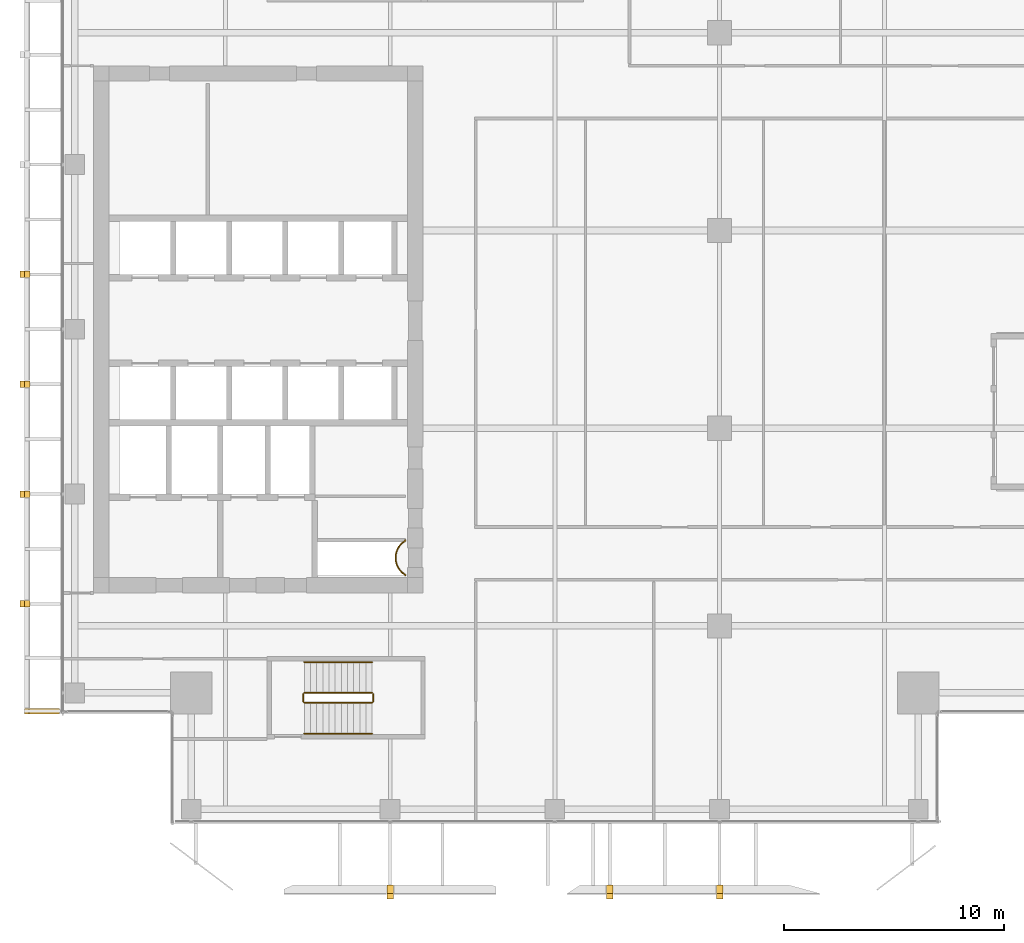
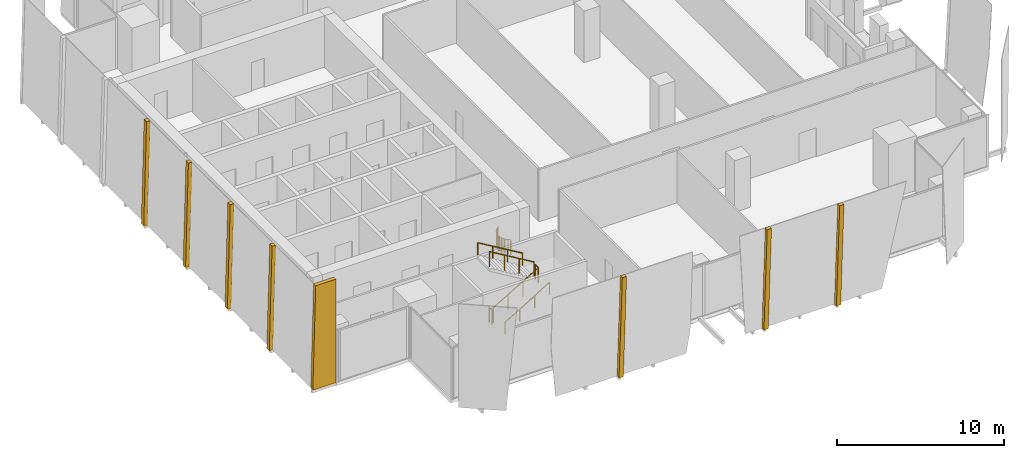
# One storey, part 32 of 35: 8 coverings, 7 railings.
"""IFC4 building model written with IfcOpenShell, lengths in metres."""

from ifc_helpers import new_model, si_unit, direction, frame, origin, origin_2d, place, context, subcontext, project, spatial, polyline, circle, outline, extrude, source, transform, mapped, material, layer, layer_set, type_object, element, save


model = new_model("IFC4")

# Units and contexts
model_context = context("Model", 3, precision=1e-05, world=origin(), true_north=direction((0.0, 1.0)))
body_context = subcontext(model_context, "Body", "Model", "MODEL_VIEW")
ifc_project = project(units=[si_unit("LENGTHUNIT", "METRE"), si_unit("AREAUNIT", "SQUARE_METRE"), si_unit("VOLUMEUNIT", "CUBIC_METRE"), si_unit("PLANEANGLEUNIT", "RADIAN"), si_unit("MASSUNIT", "GRAM", prefix="KILO")], contexts=[model_context])

# Site, building, storey
site_placement = place(None, origin())
site = spatial("IfcSite", under=ifc_project, at=site_placement, CompositionType="ELEMENT")
building_placement = place(site_placement, origin())
building = spatial("IfcBuilding", under=site, at=building_placement, Name="Khomas Fold Tower", CompositionType="ELEMENT")
storey_placement = place(building_placement, frame((0.0, 0.0, 258.199951171875)))
storey = spatial("IfcBuildingStorey", under=building, at=storey_placement, Name="L58", CompositionType="ELEMENT", Elevation=258.199951171875)

# Coverings
ifc_material_1 = material(Name="Natural stone cladding", Category="masonry")
ifc_layer = layer(ifc_material_1, 0.25)
ifc_layer_set = layer_set([ifc_layer], Name="Natural stone cladding")
covering_type = type_object("IfcCoveringType", Name="SK-Karibib marble stone mullion", PredefinedType="CLADDING", material=ifc_layer_set)
for number, where, z_axis, x_axis, name in (
    (1, (19.35009765625, 1.71337890625, 0.0), (0.0, 0.998629046243, 0.052345276765), (0.0, -0.052345276765, 0.998629046243), "OUTER SKIN mullion L58 SM100-3"),
    (2, (29.35009765625, 1.71337890625, 0.0), (0.0, 0.998629046243, 0.052345276765), (0.0, -0.052345276765, 0.998629046243), "OUTER SKIN mullion L58 SM102-6"),
    (3, (34.35009765625, 1.71337890625, 0.0), (0.0, 0.998629046243, 0.052345276765), (0.0, -0.052345276765, 0.998629046243), "OUTER SKIN mullion L58 SM103-8"),
):
    element("IfcCovering", number, at=place(storey_placement, frame(where, z_axis=z_axis, x_axis=x_axis)), inside=storey, type_object=covering_type, Name=name, PredefinedType="CLADDING", context=body_context, shape_type="SweptSolid", body=[
        extrude(outline(polyline([(0.0, 0.0), (7.560413805835891, 0.0), (7.560413805835891, 0.2998046875), (0.0, 0.2998046875), (0.0, 0.0)])), origin(), (0.0, 0.0, -1.0), 0.25),
    ])
for number, where, z_axis, x_axis, name in (
    (4, (2.6533203125, 14.35009765625, 0.006591796875), (-0.99965715546, 0.0, 0.026183421048), (0.0, 1.0, 0.0), "OUTER SKIN mullion L58 W2"),
    (5, (2.6533203125, 19.35009765625, 0.006591796875), (-0.99965715546, 0.0, 0.026183421048), (0.0, 1.0, 0.0), "OUTER SKIN mullion L58 W4"),
    (6, (2.6533203125, 24.35009765625, 0.006591796875), (-0.99965715546, 0.0, 0.026183421048), (0.0, 1.0, 0.0), "OUTER SKIN mullion L58 W6"),
    (7, (2.6533203125, 29.35009765625, 0.006591796875), (-0.99965715546, 0.0, 0.026183421048), (0.0, 1.0, 0.0), "OUTER SKIN mullion L58 W8"),
):
    element("IfcCovering", number, at=place(storey_placement, frame(where, z_axis=z_axis, x_axis=x_axis)), inside=storey, type_object=covering_type, Name=name, PredefinedType="CLADDING", context=body_context, shape_type="SweptSolid", body=[
        extrude(outline(polyline([(0.0, 0.0), (0.2998046875, 0.0), (0.2998046875, -7.552638208898188), (0.0, -7.552638208898188), (0.0, 0.0)])), origin(), (0.0, 0.0, -1.0), 0.25),
    ])
covering_placement = place(storey_placement, frame((4.449951171875, 9.5, 7.550048828125), z_axis=(0.0, -1.0, 0.0), x_axis=(-1.0, 0.0, 0.0)))
element("IfcCovering", 8, at=covering_placement, inside=storey, type_object=covering_type, Name="OUTER SKIN return L58 W1", PredefinedType="CLADDING", context=body_context, shape_type="SweptSolid", body=[
    extrude(outline(polyline([(0.0, 0.0), (1.388916015625, 0.0), (1.586669921875, 7.550048828125), (0.0, 7.550048828125), (0.0, 0.0)])), origin(), (0.0, 0.0, -1.0), 0.25),
])

# Railings
ifc_material_2 = material(Name="Steel balustrade", Category="steel")
railing_type_1 = type_object("IfcRailingType", Name="Stair guard", PredefinedType="GUARDRAIL", material=ifc_material_2)
shared_shape_1 = source(origin(), body_context, "Body", "SweptSolid", [
    extrude(circle(Radius=0.02392578125, at=origin_2d()), frame((0.0, 0.0, 1.076171875), z_axis=(0.0, 1.0, 0.0), x_axis=(-1.0, 0.0, 0.0)), (0.0, 0.0, 1.0), 0.349853515625),
    extrude(circle(Radius=0.02099609375, at=origin_2d()), origin(), (0.0, 0.0, 1.0), 1.052001953125),
    extrude(circle(Radius=0.02099609375, at=origin_2d()), frame((0.0, 0.349853515625, 0.0)), (0.0, 0.0, 1.0), 1.052001953125),
])
for number, where, name in (
    (9, (18.72998046875, 10.050048828125, 2.0), "L58 ST2 stair guard 2"),
    (10, (15.550048828125, 10.050048828125, 0.0), "L58 ST2 stair guard 4"),
):
    element("IfcRailing", number, at=place(storey_placement, frame(where)), inside=storey, type_object=railing_type_1, Name=name, PredefinedType="GUARDRAIL", context=body_context, shape_type="MappedRepresentation", body=[
        mapped(shared_shape_1, transform((0.0, 0.0, 0.0))),
    ])
shared_shape_2 = source(origin(), body_context, "Body", "SweptSolid", [
    extrude(circle(Radius=0.02392578125, at=origin_2d()), frame((0.0, 0.0, 1.076171875), z_axis=(0.859290745958, 0.0, 0.51148745235), x_axis=(0.0, 1.0, 0.0)), (0.0, 0.0, 1.0), 3.584228515625),
    extrude(circle(Radius=0.02099609375, at=origin_2d()), origin(), (0.0, 0.0, 1.0), 1.052001953125),
    extrude(circle(Radius=0.02099609375, at=origin_2d()), frame((1.026611328125, 0.0, 0.611083984375)), (0.0, 0.0, 1.0), 1.052001953125),
    extrude(circle(Radius=0.02099609375, at=origin_2d()), frame((2.05322265625, 0.0, 1.22216796875)), (0.0, 0.0, 1.0), 1.052001953125),
    extrude(circle(Radius=0.02099609375, at=origin_2d()), frame((3.079833984375, 0.0, 1.833251953125)), (0.0, 0.0, 1.0), 1.052001953125),
])
railing_1_placement = place(storey_placement, frame((15.60009765625, 10.0, 0.166748046875)))
element("IfcRailing", 11, at=railing_1_placement, inside=storey, type_object=railing_type_1, Name="L58 ST2 stair guard 1", PredefinedType="GUARDRAIL", context=body_context, shape_type="MappedRepresentation", body=[
    mapped(shared_shape_2, transform((0.0, 0.0, 0.0))),
])
shared_shape_3 = source(origin(), body_context, "Body", "SweptSolid", [
    extrude(circle(Radius=0.02392578125, at=origin_2d()), frame((0.0, 0.0, 1.076171875), z_axis=(-0.859290745958, 0.0, 0.51148745235), x_axis=(0.0, -1.0, 0.0)), (0.0, 0.0, 1.0), 3.584228515625),
    extrude(circle(Radius=0.02099609375, at=origin_2d()), origin(), (0.0, 0.0, 1.0), 1.052001953125),
    extrude(circle(Radius=0.02099609375, at=origin_2d()), frame((-1.026611328125, 0.0, 0.611083984375)), (0.0, 0.0, 1.0), 1.052001953125),
    extrude(circle(Radius=0.02099609375, at=origin_2d()), frame((-2.05322265625, 0.0, 1.22216796875)), (0.0, 0.0, 1.0), 1.052001953125),
    extrude(circle(Radius=0.02099609375, at=origin_2d()), frame((-3.079833984375, 0.0, 1.833251953125)), (0.0, 0.0, 1.0), 1.052001953125),
])
railing_2_placement = place(storey_placement, frame((18.679931640625, 10.449951171875, 2.166748046875)))
element("IfcRailing", 12, at=railing_2_placement, inside=storey, type_object=railing_type_1, Name="L58 ST2 stair guard 3", PredefinedType="GUARDRAIL", context=body_context, shape_type="MappedRepresentation", body=[
    mapped(shared_shape_3, transform((0.0, 0.0, 0.0))),
])
ifc_material_3 = material(Name="Steel handrail", Category="steel")
railing_type_2 = type_object("IfcRailingType", Name="Stair handrail", PredefinedType="HANDRAIL", material=ifc_material_3)
shared_shape_4 = source(origin(), body_context, "Body", "SweptSolid", [
    extrude(circle(Radius=0.02392578125, at=origin_2d()), frame((0.0, 0.0, 0.8759765625), z_axis=(0.859290745958, 0.0, 0.51148745235), x_axis=(0.0, 1.0, 0.0)), (0.0, 0.0, 1.0), 3.584228515625),
    extrude(circle(Radius=0.02099609375, at=origin_2d()), origin(), (0.0, 0.0, 1.0), 0.851806640625),
    extrude(circle(Radius=0.02099609375, at=origin_2d()), frame((1.026611328125, 0.0, 0.611083984375)), (0.0, 0.0, 1.0), 0.851806640625),
    extrude(circle(Radius=0.02099609375, at=origin_2d()), frame((2.05322265625, 0.0, 1.22216796875)), (0.0, 0.0, 1.0), 0.851806640625),
    extrude(circle(Radius=0.02099609375, at=origin_2d()), frame((3.079833984375, 0.0, 1.833251953125)), (0.0, 0.0, 1.0), 0.851806640625),
])
railing_3_placement = place(storey_placement, frame((15.60009765625, 8.60009765625, 0.166748046875)))
element("IfcRailing", 13, at=railing_3_placement, inside=storey, type_object=railing_type_2, Name="L58 ST2 stair handrail 1", PredefinedType="HANDRAIL", context=body_context, shape_type="MappedRepresentation", body=[
    mapped(shared_shape_4, transform((0.0, 0.0, 0.0))),
])
shared_shape_5 = source(origin(), body_context, "Body", "SweptSolid", [
    extrude(circle(Radius=0.02392578125, at=origin_2d()), frame((0.0, 0.0, 0.8759765625), z_axis=(-0.859290745958, 0.0, 0.51148745235), x_axis=(0.0, -1.0, 0.0)), (0.0, 0.0, 1.0), 3.584228515625),
    extrude(circle(Radius=0.02099609375, at=origin_2d()), origin(), (0.0, 0.0, 1.0), 0.851806640625),
    extrude(circle(Radius=0.02099609375, at=origin_2d()), frame((-1.026611328125, 0.0, 0.611083984375)), (0.0, 0.0, 1.0), 0.851806640625),
    extrude(circle(Radius=0.02099609375, at=origin_2d()), frame((-2.05322265625, 0.0, 1.22216796875)), (0.0, 0.0, 1.0), 0.851806640625),
    extrude(circle(Radius=0.02099609375, at=origin_2d()), frame((-3.079833984375, 0.0, 1.833251953125)), (0.0, 0.0, 1.0), 0.851806640625),
])
railing_4_placement = place(storey_placement, frame((18.679931640625, 11.85009765625, 2.166748046875)))
element("IfcRailing", 14, at=railing_4_placement, inside=storey, type_object=railing_type_2, Name="L58 ST2 stair handrail 2", PredefinedType="HANDRAIL", context=body_context, shape_type="MappedRepresentation", body=[
    mapped(shared_shape_5, transform((0.0, 0.0, 0.0))),
])
ifc_material_4 = material(Name="Steel balustrade", Category="steel")
railing_type_3 = type_object("IfcRailingType", Name="Shaft guard", PredefinedType="GUARDRAIL", material=ifc_material_4)
shared_shape_6 = source(origin(), body_context, "Body", "SweptSolid", [
    extrude(circle(Radius=0.02490234375, at=origin_2d()), frame((0.0, 0.0, 1.0751953125), z_axis=(1.0, 0.0, 0.0), x_axis=(0.0, 1.0, 0.0)), (0.0, 0.0, 1.0), 0.02197265625),
    extrude(circle(Radius=0.02490234375, at=origin_2d()), frame((0.02197265625, 0.0, 1.0751953125), z_axis=(0.0, -1.0, 0.0), x_axis=(1.0, 0.0, 0.0)), (0.0, 0.0, 1.0), 0.021484375),
    extrude(circle(Radius=0.02490234375, at=origin_2d()), frame((0.02197265625, -0.021484375, 1.0751953125), z_axis=(-0.857492925713, -0.514495755428, 0.0), x_axis=(0.514495755428, -0.857492925713, 0.0)), (0.0, 0.0, 1.0), 0.058349609375),
    extrude(circle(Radius=0.02490234375, at=origin_2d()), frame((-0.028076171875, -0.051513671875, 1.0751953125), z_axis=(-0.801986734315, -0.597341843489, 0.0), x_axis=(0.597341843489, -0.801986734315, 0.0)), (0.0, 0.0, 1.0), 0.08837890625),
    extrude(circle(Radius=0.02490234375, at=origin_2d()), frame((-0.098876953125, -0.104248046875, 1.0751953125), z_axis=(-0.740814996175, -0.671709119666, 0.0), x_axis=(0.671709119666, -0.740814996175, 0.0)), (0.0, 0.0, 1.0), 0.08837890625),
    extrude(circle(Radius=0.02490234375, at=origin_2d()), frame((-0.164306640625, -0.16357421875, 1.0751953125), z_axis=(-0.671709119666, -0.740814996175, 0.0), x_axis=(0.740814996175, -0.671709119666, 0.0)), (0.0, 0.0, 1.0), 0.08837890625),
    extrude(circle(Radius=0.02490234375, at=origin_2d()), frame((-0.2236328125, -0.22900390625, 1.0751953125), z_axis=(-0.597341843489, -0.801986734315, 0.0), x_axis=(0.801986734315, -0.597341843489, 0.0)), (0.0, 0.0, 1.0), 0.08837890625),
    extrude(circle(Radius=0.02490234375, at=origin_2d()), frame((-0.2763671875, -0.2998046875, 1.0751953125), z_axis=(-0.514495755428, -0.857492925713, 0.0), x_axis=(0.857492925713, -0.514495755428, 0.0)), (0.0, 0.0, 1.0), 0.08837890625),
    extrude(circle(Radius=0.02490234375, at=origin_2d()), frame((-0.32177734375, -0.37548828125, 1.0751953125), z_axis=(-0.424999439989, -0.905193612444, 0.0), x_axis=(0.905193612444, -0.424999439989, 0.0)), (0.0, 0.0, 1.0), 0.08837890625),
    extrude(circle(Radius=0.02490234375, at=origin_2d()), frame((-0.359375, -0.45556640625, 1.0751953125), z_axis=(-0.337738989679, -0.941239807302, 0.0), x_axis=(0.941239807302, -0.337738989679, 0.0)), (0.0, 0.0, 1.0), 0.088134765625),
    extrude(circle(Radius=0.02490234375, at=origin_2d()), frame((-0.38916015625, -0.53857421875, 1.0751953125), z_axis=(-0.243185799972, -0.969979724887, 0.0), x_axis=(0.969979724887, -0.243185799972, 0.0)), (0.0, 0.0, 1.0), 0.08837890625),
    extrude(circle(Radius=0.02490234375, at=origin_2d()), frame((-0.41064453125, -0.624267578125, 1.0751953125), z_axis=(-0.146448518259, -0.989218293148, 0.0), x_axis=(0.989218293148, -0.146448518259, 0.0)), (0.0, 0.0, 1.0), 0.08837890625),
    extrude(circle(Radius=0.02490234375, at=origin_2d()), frame((-0.423583984375, -0.711669921875, 1.0751953125), z_axis=(-0.049799629132, -0.998759228712, 0.0), x_axis=(0.998759228712, -0.049799629132, 0.0)), (0.0, 0.0, 1.0), 0.088134765625),
    extrude(circle(Radius=0.02490234375, at=origin_2d()), frame((-0.427978515625, -0.7998046875, 1.0751953125), z_axis=(0.049662400856, -0.998766061669, 0.0), x_axis=(0.998766061669, 0.049662400856, 0.0)), (0.0, 0.0, 1.0), 0.08837890625),
    extrude(circle(Radius=0.02490234375, at=origin_2d()), frame((-0.423583984375, -0.88818359375, 1.0751953125), z_axis=(0.146448518259, -0.989218293148, 0.0), x_axis=(0.989218293148, 0.146448518259, 0.0)), (0.0, 0.0, 1.0), 0.08837890625),
    extrude(circle(Radius=0.02490234375, at=origin_2d()), frame((-0.41064453125, -0.9755859375, 1.0751953125), z_axis=(0.243185799972, -0.969979724887, 0.0), x_axis=(0.969979724887, 0.243185799972, 0.0)), (0.0, 0.0, 1.0), 0.08837890625),
    extrude(circle(Radius=0.02490234375, at=origin_2d()), frame((-0.38916015625, -1.061279296875, 1.0751953125), z_axis=(0.337738989679, -0.941239807302, 0.0), x_axis=(0.941239807302, 0.337738989679, 0.0)), (0.0, 0.0, 1.0), 0.088134765625),
    extrude(circle(Radius=0.02490234375, at=origin_2d()), frame((-0.359375, -1.144287109375, 1.0751953125), z_axis=(0.426063493689, -0.904693262573, 0.0), x_axis=(0.904693262573, 0.426063493689, 0.0)), (0.0, 0.0, 1.0), 0.088134765625),
    extrude(circle(Radius=0.02490234375, at=origin_2d()), frame((-0.32177734375, -1.22412109375, 1.0751953125), z_axis=(0.514495755428, -0.857492925713, 0.0), x_axis=(0.857492925713, 0.514495755428, 0.0)), (0.0, 0.0, 1.0), 0.08837890625),
    extrude(circle(Radius=0.02490234375, at=origin_2d()), frame((-0.2763671875, -1.2998046875, 1.0751953125), z_axis=(0.596019138224, -0.802970227885, 0.0), x_axis=(0.802970227885, 0.596019138224, 0.0)), (0.0, 0.0, 1.0), 0.08837890625),
    extrude(circle(Radius=0.02490234375, at=origin_2d()), frame((-0.2236328125, -1.370849609375, 1.0751953125), z_axis=(0.671709119666, -0.740814996175, 0.0), x_axis=(0.740814996175, 0.671709119666, 0.0)), (0.0, 0.0, 1.0), 0.08837890625),
    extrude(circle(Radius=0.02490234375, at=origin_2d()), frame((-0.164306640625, -1.436279296875, 1.0751953125), z_axis=(0.740814996175, -0.671709119666, 0.0), x_axis=(0.671709119666, 0.740814996175, 0.0)), (0.0, 0.0, 1.0), 0.08837890625),
    extrude(circle(Radius=0.02490234375, at=origin_2d()), frame((-0.098876953125, -1.49560546875, 1.0751953125), z_axis=(0.803311771616, -0.595558727233, 0.0), x_axis=(0.595558727233, 0.803311771616, 0.0)), (0.0, 0.0, 1.0), 0.088134765625),
    extrude(circle(Radius=0.02490234375, at=origin_2d()), frame((-0.028076171875, -1.548095703125, 1.0751953125), z_axis=(0.857492925713, -0.514495755428, 0.0), x_axis=(0.514495755428, 0.857492925713, 0.0)), (0.0, 0.0, 1.0), 0.058349609375),
    extrude(circle(Radius=0.02490234375, at=origin_2d()), frame((0.02197265625, -1.578125, 1.0751953125), z_axis=(0.0, -1.0, 0.0), x_axis=(1.0, 0.0, 0.0)), (0.0, 0.0, 1.0), 0.021728515625),
    extrude(circle(Radius=0.02490234375, at=origin_2d()), frame((0.02197265625, -1.599853515625, 1.0751953125), z_axis=(-1.0, 0.0, 0.0), x_axis=(0.0, -1.0, 0.0)), (0.0, 0.0, 1.0), 0.02197265625),
    extrude(circle(Radius=0.02001953125, at=origin_2d()), origin(), (0.0, 0.0, 1.0), 1.050048828125),
    extrude(circle(Radius=0.02001953125, at=origin_2d()), frame((0.02197265625, 0.0, 0.0)), (0.0, 0.0, 1.0), 1.050048828125),
    extrude(circle(Radius=0.02001953125, at=origin_2d()), frame((0.02197265625, -0.021484375, 0.0)), (0.0, 0.0, 1.0), 1.050048828125),
    extrude(circle(Radius=0.02001953125, at=origin_2d()), frame((-0.028076171875, -0.051513671875, 0.0)), (0.0, 0.0, 1.0), 1.050048828125),
    extrude(circle(Radius=0.02001953125, at=origin_2d()), frame((-0.098876953125, -0.104248046875, 0.0)), (0.0, 0.0, 1.0), 1.050048828125),
    extrude(circle(Radius=0.02001953125, at=origin_2d()), frame((-0.164306640625, -0.16357421875, 0.0)), (0.0, 0.0, 1.0), 1.050048828125),
    extrude(circle(Radius=0.02001953125, at=origin_2d()), frame((-0.2236328125, -0.22900390625, 0.0)), (0.0, 0.0, 1.0), 1.050048828125),
    extrude(circle(Radius=0.02001953125, at=origin_2d()), frame((-0.2763671875, -0.2998046875, 0.0)), (0.0, 0.0, 1.0), 1.050048828125),
    extrude(circle(Radius=0.02001953125, at=origin_2d()), frame((-0.32177734375, -0.37548828125, 0.0)), (0.0, 0.0, 1.0), 1.050048828125),
    extrude(circle(Radius=0.02001953125, at=origin_2d()), frame((-0.359375, -0.45556640625, 0.0)), (0.0, 0.0, 1.0), 1.050048828125),
    extrude(circle(Radius=0.02001953125, at=origin_2d()), frame((-0.38916015625, -0.53857421875, 0.0)), (0.0, 0.0, 1.0), 1.050048828125),
    extrude(circle(Radius=0.02001953125, at=origin_2d()), frame((-0.41064453125, -0.624267578125, 0.0)), (0.0, 0.0, 1.0), 1.050048828125),
    extrude(circle(Radius=0.02001953125, at=origin_2d()), frame((-0.423583984375, -0.711669921875, 0.0)), (0.0, 0.0, 1.0), 1.050048828125),
    extrude(circle(Radius=0.02001953125, at=origin_2d()), frame((-0.427978515625, -0.7998046875, 0.0)), (0.0, 0.0, 1.0), 1.050048828125),
    extrude(circle(Radius=0.02001953125, at=origin_2d()), frame((-0.423583984375, -0.88818359375, 0.0)), (0.0, 0.0, 1.0), 1.050048828125),
    extrude(circle(Radius=0.02001953125, at=origin_2d()), frame((-0.41064453125, -0.9755859375, 0.0)), (0.0, 0.0, 1.0), 1.050048828125),
    extrude(circle(Radius=0.02001953125, at=origin_2d()), frame((-0.38916015625, -1.061279296875, 0.0)), (0.0, 0.0, 1.0), 1.050048828125),
    extrude(circle(Radius=0.02001953125, at=origin_2d()), frame((-0.359375, -1.144287109375, 0.0)), (0.0, 0.0, 1.0), 1.050048828125),
    extrude(circle(Radius=0.02001953125, at=origin_2d()), frame((-0.32177734375, -1.22412109375, 0.0)), (0.0, 0.0, 1.0), 1.050048828125),
    extrude(circle(Radius=0.02001953125, at=origin_2d()), frame((-0.2763671875, -1.2998046875, 0.0)), (0.0, 0.0, 1.0), 1.050048828125),
    extrude(circle(Radius=0.02001953125, at=origin_2d()), frame((-0.2236328125, -1.370849609375, 0.0)), (0.0, 0.0, 1.0), 1.050048828125),
    extrude(circle(Radius=0.02001953125, at=origin_2d()), frame((-0.164306640625, -1.436279296875, 0.0)), (0.0, 0.0, 1.0), 1.050048828125),
    extrude(circle(Radius=0.02001953125, at=origin_2d()), frame((-0.098876953125, -1.49560546875, 0.0)), (0.0, 0.0, 1.0), 1.050048828125),
    extrude(circle(Radius=0.02001953125, at=origin_2d()), frame((-0.028076171875, -1.548095703125, 0.0)), (0.0, 0.0, 1.0), 1.050048828125),
    extrude(circle(Radius=0.02001953125, at=origin_2d()), frame((0.02197265625, -1.578125, 0.0)), (0.0, 0.0, 1.0), 1.050048828125),
    extrude(circle(Radius=0.02001953125, at=origin_2d()), frame((0.02197265625, -1.599853515625, 0.0)), (0.0, 0.0, 1.0), 1.050048828125),
    extrude(circle(Radius=0.02001953125, at=origin_2d()), frame((0.0, -1.599853515625, 0.0)), (0.0, 0.0, 1.0), 1.050048828125),
])
railing_5_placement = place(storey_placement, frame((20.177978515625, 17.39990234375, 0.0)))
element("IfcRailing", 15, at=railing_5_placement, inside=storey, type_object=railing_type_3, Name="Shaft guard L58 1", PredefinedType="GUARDRAIL", context=body_context, shape_type="MappedRepresentation", body=[
    mapped(shared_shape_6, transform((0.0, 0.0, 0.0))),
])

save(model, "model.ifc")
